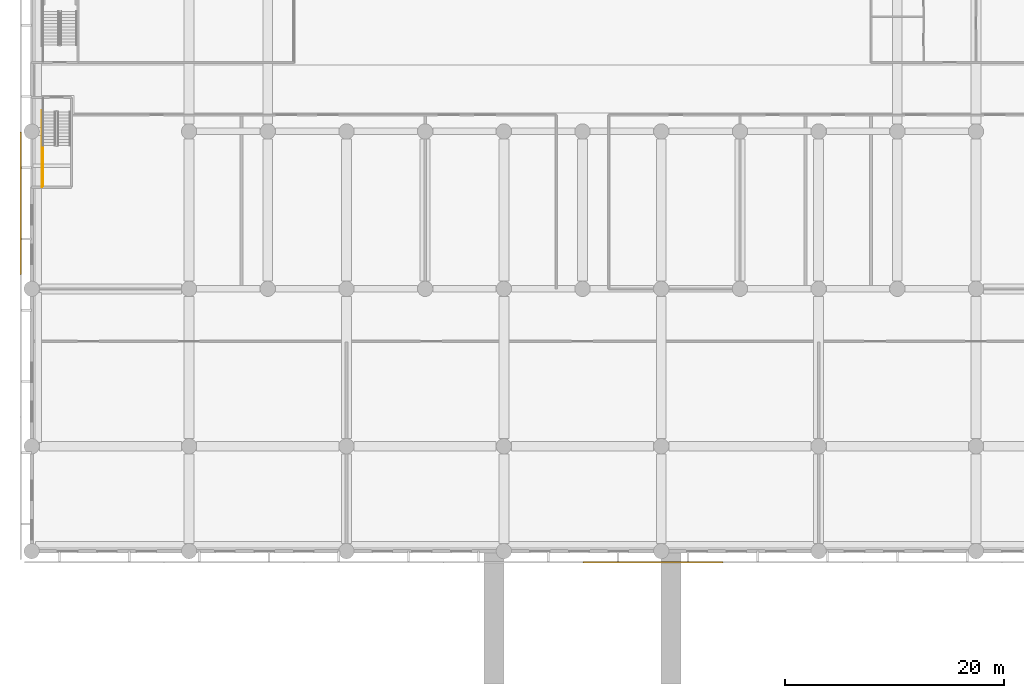
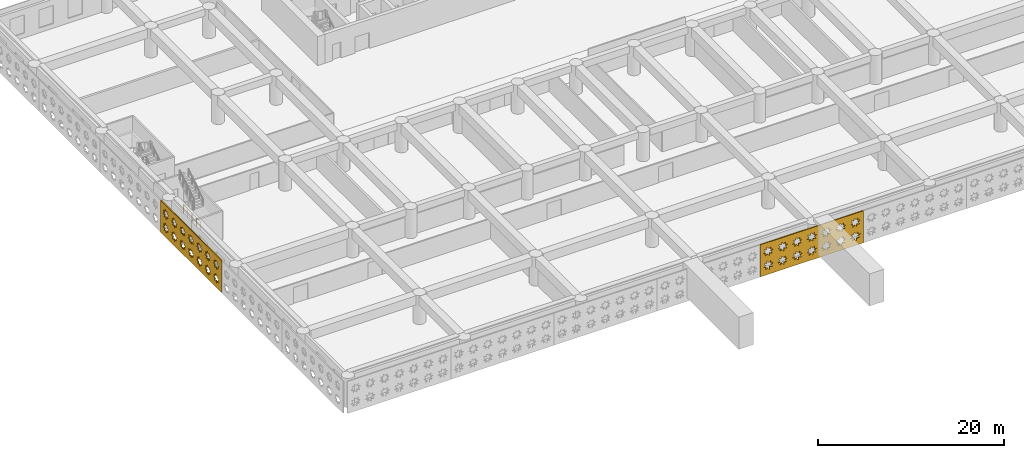
# One storey, part 13 of 23: 2 coverings, 2 railings.
"""IFC4 building model written with IfcOpenShell, lengths in metres."""

from ifc_helpers import new_model, si_unit, direction, frame, origin, origin_2d, place, context, subcontext, project, spatial, polyline, circle, outline, extrude, material, layer, layer_set, type_object, element, save


model = new_model("IFC4")

# Units and contexts
model_context = context("Model", 3, precision=1e-05, world=origin(), true_north=direction((0.0, 1.0)))
body_context = subcontext(model_context, "Body", "Model", "MODEL_VIEW")
ifc_project = project(units=[si_unit("LENGTHUNIT", "METRE"), si_unit("AREAUNIT", "SQUARE_METRE"), si_unit("VOLUMEUNIT", "CUBIC_METRE"), si_unit("PLANEANGLEUNIT", "RADIAN"), si_unit("MASSUNIT", "GRAM", prefix="KILO")], contexts=[model_context])

# Site, building, storey
site_placement = place(None, origin())
site = spatial("IfcSite", under=ifc_project, at=site_placement, CompositionType="ELEMENT")
building_placement = place(site_placement, origin())
building = spatial("IfcBuilding", under=site, at=building_placement, Name="Saffron Iwan Residences", CompositionType="ELEMENT")
storey_placement = place(building_placement, frame((0.0, 0.0, 17.39990234375)))
storey = spatial("IfcBuildingStorey", under=building, at=storey_placement, Name="L03", CompositionType="ELEMENT", Elevation=17.39990234375)

# Coverings
ifc_material_1 = material(Name="Terracotta screen, precast concrete C40/50", Category="masonry")
ifc_layer = layer(ifc_material_1, 0.1201171875)
ifc_layer_set = layer_set([ifc_layer], Name="Terracotta screen, precast concrete C40/50")
covering_type = type_object("IfcCoveringType", Name="PODIUM SCREEN GIRIH", PredefinedType="CLADDING", material=ifc_layer_set)
covering_1_placement = place(storey_placement, frame((50.4599609375, 8.64990234375, -0.39990234375), z_axis=(0.0, -1.0, 0.0), x_axis=(1.0, 0.0, 0.0)))
element("IfcCovering", 1, at=covering_1_placement, inside=storey, type_object=covering_type, Name="SCREEN girih terracotta L03 F0.4", PredefinedType="CLADDING", context=body_context, shape_type="SweptSolid", body=[
    extrude(outline(polyline([(0.0, 0.0), (12.777587890625, 0.0), (12.777587890625, 4.199951171875), (0.0, 4.199951171875), (0.0, 0.0)]), holes=[polyline([(1.5966796875, 1.321044921875), (1.271484375, 1.388916015625), (1.333251953125, 1.715576171875), (1.05517578125, 1.533447265625), (0.867919921875, 1.80810546875), (0.7998046875, 1.482666015625), (0.47314453125, 1.54443359375), (0.6552734375, 1.266357421875), (0.380615234375, 1.0791015625), (0.7060546875, 1.010986328125), (0.644287109375, 0.6845703125), (0.92236328125, 0.866455078125), (1.109619140625, 0.591796875), (1.177490234375, 0.917236328125), (1.50439453125, 0.85546875), (1.322265625, 1.1337890625), (1.5966796875, 1.321044921875)]), polyline([(1.5966796875, 3.12109375), (1.271484375, 3.18896484375), (1.333251953125, 3.515380859375), (1.05517578125, 3.33349609375), (0.867919921875, 3.608154296875), (0.7998046875, 3.28271484375), (0.47314453125, 3.344482421875), (0.6552734375, 3.06640625), (0.380615234375, 2.87890625), (0.7060546875, 2.81103515625), (0.644287109375, 2.484619140625), (0.92236328125, 2.66650390625), (1.109619140625, 2.391845703125), (1.177490234375, 2.71728515625), (1.50439453125, 2.655517578125), (1.322265625, 2.93359375), (1.5966796875, 3.12109375)]), polyline([(3.396728515625, 1.321044921875), (3.0712890625, 1.388916015625), (3.13330078125, 1.715576171875), (2.85498046875, 1.533447265625), (2.667724609375, 1.80810546875), (2.599853515625, 1.482666015625), (2.273193359375, 1.54443359375), (2.455322265625, 1.266357421875), (2.1806640625, 1.0791015625), (2.506103515625, 1.010986328125), (2.4443359375, 0.6845703125), (2.722412109375, 0.866455078125), (2.90966796875, 0.591796875), (2.9775390625, 0.917236328125), (3.30419921875, 0.85546875), (3.122314453125, 1.1337890625), (3.396728515625, 1.321044921875)]), polyline([(3.396728515625, 3.12109375), (3.0712890625, 3.18896484375), (3.13330078125, 3.515380859375), (2.85498046875, 3.33349609375), (2.667724609375, 3.608154296875), (2.599853515625, 3.28271484375), (2.273193359375, 3.344482421875), (2.455322265625, 3.06640625), (2.1806640625, 2.87890625), (2.506103515625, 2.81103515625), (2.4443359375, 2.484619140625), (2.722412109375, 2.66650390625), (2.90966796875, 2.391845703125), (2.9775390625, 2.71728515625), (3.30419921875, 2.655517578125), (3.122314453125, 2.93359375), (3.396728515625, 3.12109375)]), polyline([(5.19677734375, 1.321044921875), (4.871337890625, 1.388916015625), (4.93310546875, 1.715576171875), (4.655029296875, 1.533447265625), (4.4677734375, 1.80810546875), (4.39990234375, 1.482666015625), (4.0732421875, 1.54443359375), (4.25537109375, 1.266357421875), (3.980712890625, 1.0791015625), (4.30615234375, 1.010986328125), (4.244384765625, 0.6845703125), (4.5224609375, 0.866455078125), (4.709716796875, 0.591796875), (4.777587890625, 0.917236328125), (5.104248046875, 0.85546875), (4.922119140625, 1.1337890625), (5.19677734375, 1.321044921875)]), polyline([(5.19677734375, 3.12109375), (4.871337890625, 3.18896484375), (4.93310546875, 3.515380859375), (4.655029296875, 3.33349609375), (4.4677734375, 3.608154296875), (4.39990234375, 3.28271484375), (4.0732421875, 3.344482421875), (4.25537109375, 3.06640625), (3.980712890625, 2.87890625), (4.30615234375, 2.81103515625), (4.244384765625, 2.484619140625), (4.5224609375, 2.66650390625), (4.709716796875, 2.391845703125), (4.777587890625, 2.71728515625), (5.104248046875, 2.655517578125), (4.922119140625, 2.93359375), (5.19677734375, 3.12109375)]), polyline([(6.996826171875, 1.321044921875), (6.67138671875, 1.388916015625), (6.733154296875, 1.715576171875), (6.455078125, 1.533447265625), (6.267822265625, 1.80810546875), (6.199951171875, 1.482666015625), (5.873291015625, 1.54443359375), (6.055419921875, 1.266357421875), (5.78076171875, 1.0791015625), (6.106201171875, 1.010986328125), (6.044189453125, 0.6845703125), (6.322509765625, 0.866455078125), (6.509765625, 0.591796875), (6.57763671875, 0.917236328125), (6.904296875, 0.85546875), (6.72216796875, 1.1337890625), (6.996826171875, 1.321044921875)]), polyline([(6.996826171875, 3.12109375), (6.67138671875, 3.18896484375), (6.733154296875, 3.515380859375), (6.455078125, 3.33349609375), (6.267822265625, 3.608154296875), (6.199951171875, 3.28271484375), (5.873291015625, 3.344482421875), (6.055419921875, 3.06640625), (5.78076171875, 2.87890625), (6.106201171875, 2.81103515625), (6.044189453125, 2.484619140625), (6.322509765625, 2.66650390625), (6.509765625, 2.391845703125), (6.57763671875, 2.71728515625), (6.904296875, 2.655517578125), (6.72216796875, 2.93359375), (6.996826171875, 3.12109375)]), polyline([(8.796875, 1.321044921875), (8.471435546875, 1.388916015625), (8.533203125, 1.715576171875), (8.255126953125, 1.533447265625), (8.06787109375, 1.80810546875), (8.0, 1.482666015625), (7.673095703125, 1.54443359375), (7.855224609375, 1.266357421875), (7.580810546875, 1.0791015625), (7.906005859375, 1.010986328125), (7.84423828125, 0.6845703125), (8.122314453125, 0.866455078125), (8.309814453125, 0.591796875), (8.377685546875, 0.917236328125), (8.704345703125, 0.85546875), (8.522216796875, 1.1337890625), (8.796875, 1.321044921875)]), polyline([(8.796875, 3.12109375), (8.471435546875, 3.18896484375), (8.533203125, 3.515380859375), (8.255126953125, 3.33349609375), (8.06787109375, 3.608154296875), (8.0, 3.28271484375), (7.673095703125, 3.344482421875), (7.855224609375, 3.06640625), (7.580810546875, 2.87890625), (7.906005859375, 2.81103515625), (7.84423828125, 2.484619140625), (8.122314453125, 2.66650390625), (8.309814453125, 2.391845703125), (8.377685546875, 2.71728515625), (8.704345703125, 2.655517578125), (8.522216796875, 2.93359375), (8.796875, 3.12109375)]), polyline([(10.5966796875, 1.321044921875), (10.271484375, 1.388916015625), (10.333251953125, 1.715576171875), (10.05517578125, 1.533447265625), (9.867919921875, 1.80810546875), (9.7998046875, 1.482666015625), (9.47314453125, 1.54443359375), (9.6552734375, 1.266357421875), (9.380615234375, 1.0791015625), (9.7060546875, 1.010986328125), (9.644287109375, 0.6845703125), (9.92236328125, 0.866455078125), (10.109619140625, 0.591796875), (10.177490234375, 0.917236328125), (10.50439453125, 0.85546875), (10.322265625, 1.1337890625), (10.5966796875, 1.321044921875)]), polyline([(10.5966796875, 3.12109375), (10.271484375, 3.18896484375), (10.333251953125, 3.515380859375), (10.05517578125, 3.33349609375), (9.867919921875, 3.608154296875), (9.7998046875, 3.28271484375), (9.47314453125, 3.344482421875), (9.6552734375, 3.06640625), (9.380615234375, 2.87890625), (9.7060546875, 2.81103515625), (9.644287109375, 2.484619140625), (9.92236328125, 2.66650390625), (10.109619140625, 2.391845703125), (10.177490234375, 2.71728515625), (10.50439453125, 2.655517578125), (10.322265625, 2.93359375), (10.5966796875, 3.12109375)]), polyline([(12.396728515625, 1.321044921875), (12.0712890625, 1.388916015625), (12.13330078125, 1.715576171875), (11.85498046875, 1.533447265625), (11.667724609375, 1.80810546875), (11.599853515625, 1.482666015625), (11.273193359375, 1.54443359375), (11.455322265625, 1.266357421875), (11.1806640625, 1.0791015625), (11.506103515625, 1.010986328125), (11.4443359375, 0.6845703125), (11.722412109375, 0.866455078125), (11.90966796875, 0.591796875), (11.9775390625, 0.917236328125), (12.30419921875, 0.85546875), (12.122314453125, 1.1337890625), (12.396728515625, 1.321044921875)]), polyline([(12.396728515625, 3.12109375), (12.0712890625, 3.18896484375), (12.13330078125, 3.515380859375), (11.85498046875, 3.33349609375), (11.667724609375, 3.608154296875), (11.599853515625, 3.28271484375), (11.273193359375, 3.344482421875), (11.455322265625, 3.06640625), (11.1806640625, 2.87890625), (11.506103515625, 2.81103515625), (11.4443359375, 2.484619140625), (11.722412109375, 2.66650390625), (11.90966796875, 2.391845703125), (11.9775390625, 2.71728515625), (12.30419921875, 2.655517578125), (12.122314453125, 2.93359375), (12.396728515625, 3.12109375)])]), origin(), (0.0, 0.0, 1.0), 0.119873046875),
])
covering_2_placement = place(storey_placement, frame((-0.949951171875, 47.93994140625, -0.39990234375), z_axis=(-1.0, 0.0, 0.0), x_axis=(0.0, -1.0, 0.0)))
element("IfcCovering", 2, at=covering_2_placement, inside=storey, type_object=covering_type, Name="SCREEN girih terracotta L03 F3.3", PredefinedType="CLADDING", context=body_context, shape_type="SweptSolid", body=[
    extrude(outline(polyline([(0.0, 0.0), (13.03662109375, 0.0), (13.03662109375, 4.199951171875), (0.0, 4.199951171875), (0.0, 0.0)]), holes=[polyline([(1.726318359375, 1.321044921875), (1.40087890625, 1.388916015625), (1.462890625, 1.715576171875), (1.184814453125, 1.533447265625), (0.997314453125, 1.80810546875), (0.929443359375, 1.482666015625), (0.602783203125, 1.54443359375), (0.784912109375, 1.266357421875), (0.51025390625, 1.0791015625), (0.835693359375, 1.010986328125), (0.77392578125, 0.6845703125), (1.052001953125, 0.866455078125), (1.2392578125, 0.591796875), (1.30712890625, 0.917236328125), (1.6337890625, 0.85546875), (1.451904296875, 1.1337890625), (1.726318359375, 1.321044921875)]), polyline([(1.726318359375, 3.12109375), (1.40087890625, 3.18896484375), (1.462890625, 3.515380859375), (1.184814453125, 3.33349609375), (0.997314453125, 3.608154296875), (0.929443359375, 3.28271484375), (0.602783203125, 3.344482421875), (0.784912109375, 3.06640625), (0.51025390625, 2.87890625), (0.835693359375, 2.81103515625), (0.77392578125, 2.484619140625), (1.052001953125, 2.66650390625), (1.2392578125, 2.391845703125), (1.30712890625, 2.71728515625), (1.6337890625, 2.655517578125), (1.451904296875, 2.93359375), (1.726318359375, 3.12109375)]), polyline([(3.5263671875, 1.321044921875), (3.200927734375, 1.388916015625), (3.2626953125, 1.715576171875), (2.984619140625, 1.533447265625), (2.79736328125, 1.80810546875), (2.7294921875, 1.482666015625), (2.40283203125, 1.54443359375), (2.5849609375, 1.266357421875), (2.310302734375, 1.0791015625), (2.635498046875, 1.010986328125), (2.573974609375, 0.6845703125), (2.85205078125, 0.866455078125), (3.039306640625, 0.591796875), (3.107177734375, 0.917236328125), (3.433837890625, 0.85546875), (3.251708984375, 1.1337890625), (3.5263671875, 1.321044921875)]), polyline([(3.5263671875, 3.12109375), (3.200927734375, 3.18896484375), (3.2626953125, 3.515380859375), (2.984619140625, 3.33349609375), (2.79736328125, 3.608154296875), (2.7294921875, 3.28271484375), (2.40283203125, 3.344482421875), (2.5849609375, 3.06640625), (2.310302734375, 2.87890625), (2.635498046875, 2.81103515625), (2.573974609375, 2.484619140625), (2.85205078125, 2.66650390625), (3.039306640625, 2.391845703125), (3.107177734375, 2.71728515625), (3.433837890625, 2.655517578125), (3.251708984375, 2.93359375), (3.5263671875, 3.12109375)]), polyline([(5.326416015625, 1.321044921875), (5.0009765625, 1.388916015625), (5.062744140625, 1.715576171875), (4.78466796875, 1.533447265625), (4.597412109375, 1.80810546875), (4.529296875, 1.482666015625), (4.202880859375, 1.54443359375), (4.385009765625, 1.266357421875), (4.110107421875, 1.0791015625), (4.435546875, 1.010986328125), (4.373779296875, 0.6845703125), (4.652099609375, 0.866455078125), (4.83935546875, 0.591796875), (4.9072265625, 0.917236328125), (5.23388671875, 0.85546875), (5.0517578125, 1.1337890625), (5.326416015625, 1.321044921875)]), polyline([(5.326416015625, 3.12109375), (5.0009765625, 3.18896484375), (5.062744140625, 3.515380859375), (4.78466796875, 3.33349609375), (4.597412109375, 3.608154296875), (4.529296875, 3.28271484375), (4.202880859375, 3.344482421875), (4.385009765625, 3.06640625), (4.110107421875, 2.87890625), (4.435546875, 2.81103515625), (4.373779296875, 2.484619140625), (4.652099609375, 2.66650390625), (4.83935546875, 2.391845703125), (4.9072265625, 2.71728515625), (5.23388671875, 2.655517578125), (5.0517578125, 2.93359375), (5.326416015625, 3.12109375)]), polyline([(7.12646484375, 1.321044921875), (6.801025390625, 1.388916015625), (6.86279296875, 1.715576171875), (6.584716796875, 1.533447265625), (6.3974609375, 1.80810546875), (6.329345703125, 1.482666015625), (6.002685546875, 1.54443359375), (6.184814453125, 1.266357421875), (5.91015625, 1.0791015625), (6.235595703125, 1.010986328125), (6.173828125, 0.6845703125), (6.451904296875, 0.866455078125), (6.639404296875, 0.591796875), (6.707275390625, 0.917236328125), (7.03369140625, 0.85546875), (6.851806640625, 1.1337890625), (7.12646484375, 1.321044921875)]), polyline([(7.12646484375, 3.12109375), (6.801025390625, 3.18896484375), (6.86279296875, 3.515380859375), (6.584716796875, 3.33349609375), (6.3974609375, 3.608154296875), (6.329345703125, 3.28271484375), (6.002685546875, 3.344482421875), (6.184814453125, 3.06640625), (5.91015625, 2.87890625), (6.235595703125, 2.81103515625), (6.173828125, 2.484619140625), (6.451904296875, 2.66650390625), (6.639404296875, 2.391845703125), (6.707275390625, 2.71728515625), (7.03369140625, 2.655517578125), (6.851806640625, 2.93359375), (7.12646484375, 3.12109375)]), polyline([(8.926513671875, 1.321044921875), (8.60107421875, 1.388916015625), (8.662841796875, 1.715576171875), (8.384765625, 1.533447265625), (8.197509765625, 1.80810546875), (8.12939453125, 1.482666015625), (7.802734375, 1.54443359375), (7.98486328125, 1.266357421875), (7.710205078125, 1.0791015625), (8.03564453125, 1.010986328125), (7.973876953125, 0.6845703125), (8.251953125, 0.866455078125), (8.439208984375, 0.591796875), (8.507080078125, 0.917236328125), (8.833740234375, 0.85546875), (8.65185546875, 1.1337890625), (8.926513671875, 1.321044921875)]), polyline([(8.926513671875, 3.12109375), (8.60107421875, 3.18896484375), (8.662841796875, 3.515380859375), (8.384765625, 3.33349609375), (8.197509765625, 3.608154296875), (8.12939453125, 3.28271484375), (7.802734375, 3.344482421875), (7.98486328125, 3.06640625), (7.710205078125, 2.87890625), (8.03564453125, 2.81103515625), (7.973876953125, 2.484619140625), (8.251953125, 2.66650390625), (8.439208984375, 2.391845703125), (8.507080078125, 2.71728515625), (8.833740234375, 2.655517578125), (8.65185546875, 2.93359375), (8.926513671875, 3.12109375)]), polyline([(10.726318359375, 1.321044921875), (10.40087890625, 1.388916015625), (10.462890625, 1.715576171875), (10.184814453125, 1.533447265625), (9.997314453125, 1.80810546875), (9.929443359375, 1.482666015625), (9.602783203125, 1.54443359375), (9.784912109375, 1.266357421875), (9.51025390625, 1.0791015625), (9.835693359375, 1.010986328125), (9.77392578125, 0.6845703125), (10.052001953125, 0.866455078125), (10.2392578125, 0.591796875), (10.30712890625, 0.917236328125), (10.6337890625, 0.85546875), (10.451904296875, 1.1337890625), (10.726318359375, 1.321044921875)]), polyline([(10.726318359375, 3.12109375), (10.40087890625, 3.18896484375), (10.462890625, 3.515380859375), (10.184814453125, 3.33349609375), (9.997314453125, 3.608154296875), (9.929443359375, 3.28271484375), (9.602783203125, 3.344482421875), (9.784912109375, 3.06640625), (9.51025390625, 2.87890625), (9.835693359375, 2.81103515625), (9.77392578125, 2.484619140625), (10.052001953125, 2.66650390625), (10.2392578125, 2.391845703125), (10.30712890625, 2.71728515625), (10.6337890625, 2.655517578125), (10.451904296875, 2.93359375), (10.726318359375, 3.12109375)]), polyline([(12.5263671875, 1.321044921875), (12.200927734375, 1.388916015625), (12.2626953125, 1.715576171875), (11.984619140625, 1.533447265625), (11.79736328125, 1.80810546875), (11.7294921875, 1.482666015625), (11.40283203125, 1.54443359375), (11.5849609375, 1.266357421875), (11.310302734375, 1.0791015625), (11.635498046875, 1.010986328125), (11.573974609375, 0.6845703125), (11.85205078125, 0.866455078125), (12.039306640625, 0.591796875), (12.107177734375, 0.917236328125), (12.433837890625, 0.85546875), (12.251708984375, 1.1337890625), (12.5263671875, 1.321044921875)]), polyline([(12.5263671875, 3.12109375), (12.200927734375, 3.18896484375), (12.2626953125, 3.515380859375), (11.984619140625, 3.33349609375), (11.79736328125, 3.608154296875), (11.7294921875, 3.28271484375), (11.40283203125, 3.344482421875), (11.5849609375, 3.06640625), (11.310302734375, 2.87890625), (11.635498046875, 2.81103515625), (11.573974609375, 2.484619140625), (11.85205078125, 2.66650390625), (12.039306640625, 2.391845703125), (12.107177734375, 2.71728515625), (12.433837890625, 2.655517578125), (12.251708984375, 2.93359375), (12.5263671875, 3.12109375)])]), origin(), (0.0, 0.0, 1.0), 0.1201171875),
])

# Railings
ifc_material_2 = material(Name="Steel S355", Category="steel")
railing_type = type_object("IfcRailingType", Name="Podium stair guard 1150", PredefinedType="GUARDRAIL", material=ifc_material_2)
railing_1_placement = place(storey_placement, frame((1.050048828125, 46.719970703125, 2.10009765625)))
element("IfcRailing", 3, at=railing_1_placement, inside=storey, type_object=railing_type, Name="L03 PS1 stair guard 3", PredefinedType="GUARDRAIL", context=body_context, shape_type="SweptSolid", body=[
    extrude(circle(Radius=0.02392578125, at=origin_2d()), frame((0.0, 0.0, 1.1259765625), z_axis=(0.0, -1.0, 0.0), x_axis=(1.0, 0.0, 0.0)), (0.0, 0.0, 1.0), 3.719970703125),
    extrude(circle(Radius=0.02099609375, at=origin_2d()), origin(), (0.0, 0.0, 1.0), 1.101806640625),
    extrude(circle(Radius=0.02099609375, at=origin_2d()), frame((0.0, -0.929931640625, 0.0)), (0.0, 0.0, 1.0), 1.101806640625),
    extrude(circle(Radius=0.02099609375, at=origin_2d()), frame((0.0, -1.85986328125, 0.0)), (0.0, 0.0, 1.0), 1.101806640625),
    extrude(circle(Radius=0.02099609375, at=origin_2d()), frame((0.0, -2.7900390625, 0.0)), (0.0, 0.0, 1.0), 1.101806640625),
    extrude(circle(Radius=0.02099609375, at=origin_2d()), frame((0.0, -3.719970703125, 0.0)), (0.0, 0.0, 1.0), 1.101806640625),
])
railing_2_placement = place(storey_placement, frame((0.949951171875, 49.89990234375, 0.0)))
element("IfcRailing", 4, at=railing_2_placement, inside=storey, type_object=railing_type, Name="L03 PS1 stair guard 7", PredefinedType="GUARDRAIL", context=body_context, shape_type="SweptSolid", body=[
    extrude(circle(Radius=0.02392578125, at=origin_2d()), frame((0.0, 0.0, 1.1259765625), z_axis=(0.0, -1.0, 0.0), x_axis=(1.0, 0.0, 0.0)), (0.0, 0.0, 1.0), 7.0),
    extrude(circle(Radius=0.02099609375, at=origin_2d()), origin(), (0.0, 0.0, 1.0), 1.101806640625),
    extrude(circle(Radius=0.02099609375, at=origin_2d()), frame((0.0, -1.166748046875, 0.0)), (0.0, 0.0, 1.0), 1.101806640625),
    extrude(circle(Radius=0.02099609375, at=origin_2d()), frame((0.0, -2.333251953125, 0.0)), (0.0, 0.0, 1.0), 1.101806640625),
    extrude(circle(Radius=0.02099609375, at=origin_2d()), frame((0.0, -3.5, 0.0)), (0.0, 0.0, 1.0), 1.101806640625),
    extrude(circle(Radius=0.02099609375, at=origin_2d()), frame((0.0, -4.666748046875, 0.0)), (0.0, 0.0, 1.0), 1.101806640625),
    extrude(circle(Radius=0.02099609375, at=origin_2d()), frame((0.0, -5.833251953125, 0.0)), (0.0, 0.0, 1.0), 1.101806640625),
    extrude(circle(Radius=0.02099609375, at=origin_2d()), frame((0.0, -7.0, 0.0)), (0.0, 0.0, 1.0), 1.101806640625),
])

save(model, "model.ifc")
